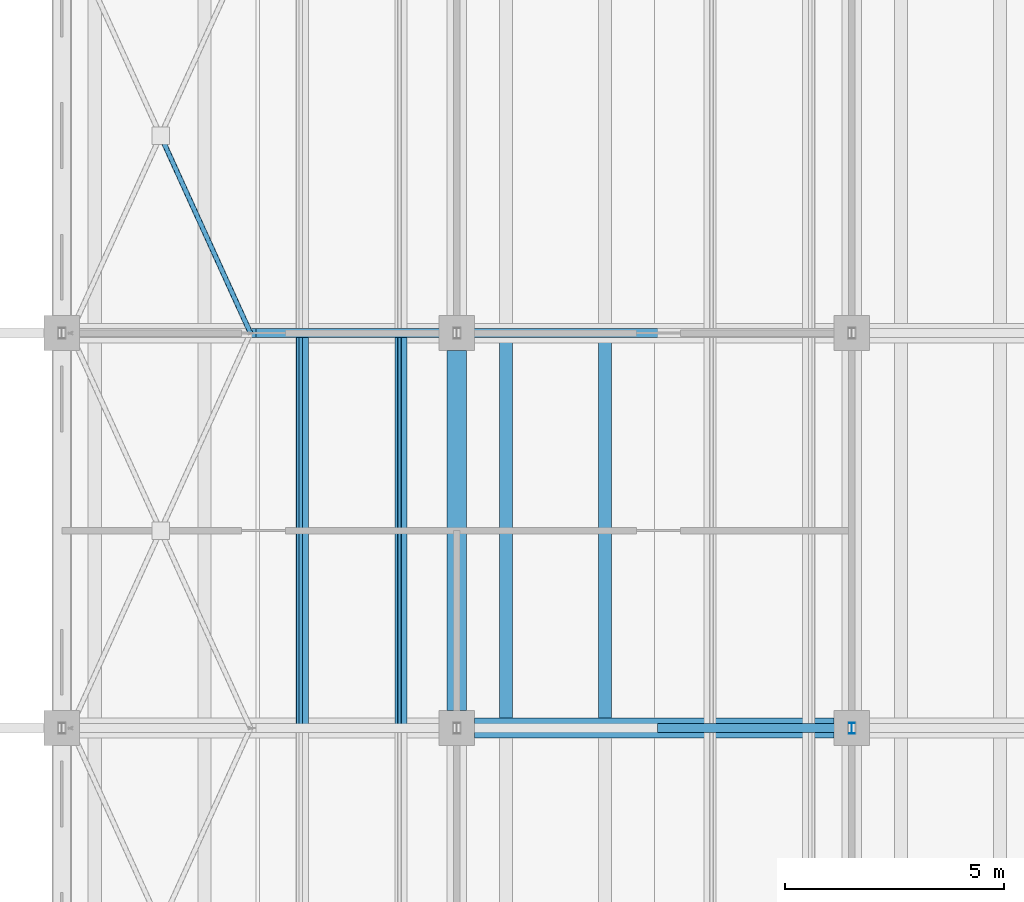
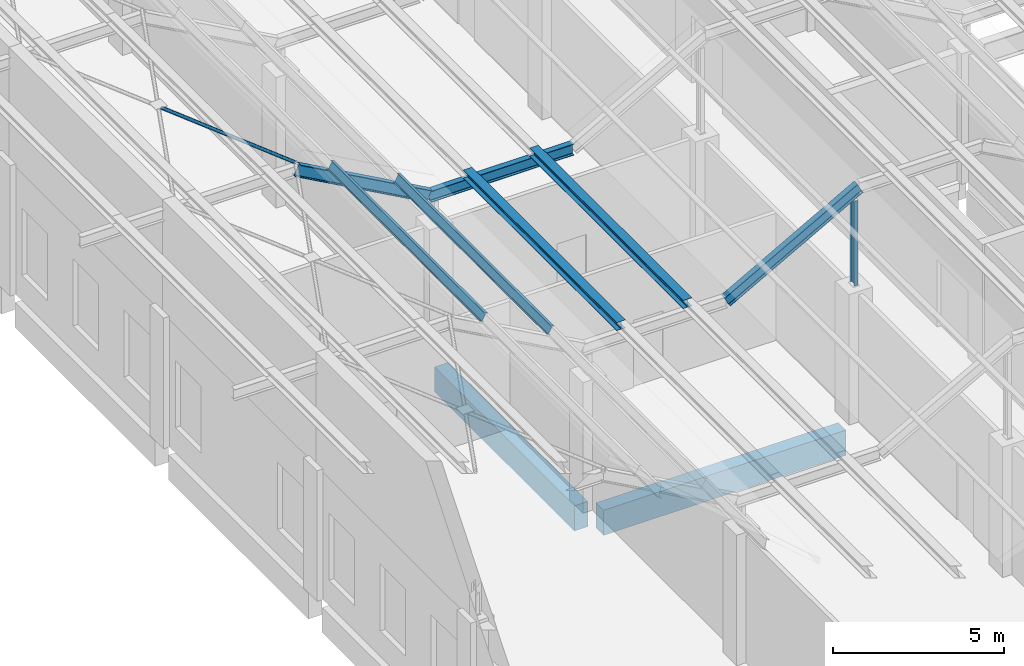
# One storey, part 29 of 437: 9 members, 2 beams.
"""IFC4 building model written with IfcOpenShell, lengths in metres."""

import ifcopenshell
import ifcopenshell.guid

model = None  # the IFC model being written
_history = None  # IfcOwnerHistory: only IFC2X3 demands one
_inside = {}  # id of a spatial element -> (the spatial element, [elements in it])
_under = {}  # id of a project, library or spatial element -> (it, [spatial elements below it])
_declared = {}  # id of a project -> (the project, [libraries it declares])
_typed = {}  # id of a type object -> (the type object, [elements of that type])
_made_of = {}  # id of a material, layer set ... -> (it, [elements and type objects made of it])


def new_model(schema):
    """Start an empty IFC model of exactly this schema.

    Asked for "IFC4X3", IfcOpenShell would pick the latest addendum, in which some entities
    have other attributes; the version numbers below select the first issue.
    IFC2X3 requires an IfcOwnerHistory on every rooted entity: one is made here for all.
    """
    global model, _history
    if schema == "IFC4X3":
        model = ifcopenshell.file(schema_version=(4, 3, 0, 0))
    else:
        model = ifcopenshell.file(schema=schema)
    _inside.clear()
    _under.clear()
    _declared.clear()
    _typed.clear()
    _made_of.clear()
    _history = None
    if model.schema == "IFC2X3":
        org = make("IfcOrganization", Name="unknown")
        user = make(
            "IfcPersonAndOrganization",
            ThePerson=make("IfcPerson", FamilyName="unknown"),
            TheOrganization=org,
        )
        app = make(
            "IfcApplication",
            ApplicationDeveloper=org,
            Version="unknown",
            ApplicationFullName="unknown",
            ApplicationIdentifier="unknown",
        )
        _history = make(
            "IfcOwnerHistory",
            OwningUser=user,
            OwningApplication=app,
            ChangeAction="ADDED",
            CreationDate=0,
        )
    return model


def make(cls, **values):
    """One entity of the class cls with the attributes given. An attribute that is None is left unset."""
    return model.create_entity(
        cls, **{name: value for name, value in values.items() if value is not None}
    )


def rooted(cls, **values):
    """An entity with a GlobalId (a new one), such as an element, a storey or a relation."""
    return make(cls, GlobalId=ifcopenshell.guid.new(), OwnerHistory=_history, **values)


def si_unit(unit_type, name, prefix=None):
    """IfcSIUnit, for example si_unit("LENGTHUNIT", "METRE", prefix="MILLI")."""
    return make("IfcSIUnit", UnitType=unit_type, Prefix=prefix, Name=name)


def assignment(units):
    """IfcUnitAssignment: the units of a project."""
    return None if units is None else make("IfcUnitAssignment", Units=units)


def point(xyz):
    """IfcCartesianPoint."""
    return None if xyz is None else make("IfcCartesianPoint", Coordinates=xyz)


def direction(xyz):
    """IfcDirection."""
    return None if xyz is None else make("IfcDirection", DirectionRatios=xyz)


def frame(location, z_axis=None, x_axis=None):
    """IfcAxis2Placement3D, a coordinate frame: its origin and axes. An axis left out is left unset."""
    return make(
        "IfcAxis2Placement3D",
        Location=point(location),
        Axis=direction(z_axis),
        RefDirection=direction(x_axis),
    )


def frame_2d(location, x_axis=None):
    """IfcAxis2Placement2D, a coordinate frame in the plane: its origin and x axis."""
    return make(
        "IfcAxis2Placement2D", Location=point(location), RefDirection=direction(x_axis)
    )


def origin():
    """The frame at (0, 0, 0) with its axes left unset."""
    return frame((0.0, 0.0, 0.0))


def origin_2d():
    """The frame at (0, 0) in the plane with its x axis left unset."""
    return frame_2d((0.0, 0.0))


def place(relative_to, where):
    """IfcLocalPlacement: puts the frame where relative to a parent placement (None: the world)."""
    return make(
        "IfcLocalPlacement", PlacementRelTo=relative_to, RelativePlacement=where
    )


def context(
    kind, dimensions, precision=None, world=None, true_north=None, identifier=None
):
    """IfcGeometricRepresentationContext, for example the 3D "Model" context."""
    return make(
        "IfcGeometricRepresentationContext",
        ContextIdentifier=identifier,
        ContextType=kind,
        CoordinateSpaceDimension=dimensions,
        Precision=precision,
        WorldCoordinateSystem=world,
        TrueNorth=true_north,
    )


def subcontext(parent, identifier, kind, view, scale=None):
    """IfcGeometricRepresentationSubContext, for example "Body" below "Model"."""
    return make(
        "IfcGeometricRepresentationSubContext",
        ContextIdentifier=identifier,
        ContextType=kind,
        ParentContext=parent,
        TargetScale=scale,
        TargetView=view,
    )


def project(units=None, contexts=None):
    """IfcProject with its units and contexts."""
    return rooted(
        "IfcProject",
        Name="project",
        RepresentationContexts=contexts,
        UnitsInContext=assignment(units),
    )


def spatial(cls, under=None, at=None, **own):
    """A site, building, storey or space (cls), placed at a placement, below another one or the project."""
    s = rooted(cls, ObjectPlacement=at, **own)
    if under is not None:
        _under.setdefault(under.id(), (under, []))[1].append(s)
    return s


def profile(cls, at=None, kind="AREA", **sizes):
    """A parametric profile (cls). Its sizes go by their IFC names, for example OverallWidth=200.0."""
    return make(cls, ProfileType=kind, Position=at, **sizes)


def rectangle(**sizes):
    """IfcRectangleProfileDef."""
    return profile("IfcRectangleProfileDef", **sizes)


def hollow_circle(**sizes):
    """IfcCircleHollowProfileDef."""
    return profile("IfcCircleHollowProfileDef", **sizes)


def i_section(**sizes):
    """IfcIShapeProfileDef."""
    return profile("IfcIShapeProfileDef", **sizes)


def extrude(swept, where, along, depth):
    """IfcExtrudedAreaSolid: the profile swept, set in the frame where, extruded along a direction by depth."""
    return make(
        "IfcExtrudedAreaSolid",
        SweptArea=swept,
        Position=where,
        ExtrudedDirection=direction(along),
        Depth=depth,
    )


def shape(context_of_items, identifier, shape_type, items):
    """IfcShapeRepresentation: the items that make up one representation, for example the "Body"."""
    return make(
        "IfcShapeRepresentation",
        ContextOfItems=context_of_items,
        RepresentationIdentifier=identifier,
        RepresentationType=shape_type,
        Items=items,
    )


def material(Name=None, Category=None):
    """IfcMaterial."""
    return make("IfcMaterial", Name=Name, Category=Category)


def material_profile(
    of_material, cross_section, Name=None, Category=None, Priority=None
):
    """IfcMaterialProfile: a cross section and its material."""
    return make(
        "IfcMaterialProfile",
        Name=Name,
        Material=of_material,
        Profile=cross_section,
        Priority=Priority,
        Category=Category,
    )


def profile_set(profiles, Name=None, composite=None):
    """IfcMaterialProfileSet."""
    return make(
        "IfcMaterialProfileSet",
        Name=Name,
        MaterialProfiles=profiles,
        CompositeProfile=composite,
    )


def made_of(thing, what):
    """Note that an element or type object is made of a material, layer set ...; save() writes the relation."""
    if what is not None:
        _made_of.setdefault(what.id(), (what, []))[1].append(thing)
    return thing


def type_object(cls, material=None, **own):
    """A type object (cls), such as IfcWallType, which elements share."""
    return made_of(rooted(cls, **own), material)


def element(
    cls,
    number,
    at=None,
    inside=None,
    cuts=None,
    type_object=None,
    material=None,
    context=None,
    identifier="Body",
    shape_type=None,
    held_by="IfcProductDefinitionShape",
    body=None,
    shapes=None,
    **own,
):
    """One element of the class cls, such as IfcWall. Its Tag is "e" and its number.

    at: its placement. inside: the storey or other place that contains it. cuts: it is an
    opening in that element (IfcRelVoidsElement). A single representation is given by context,
    identifier, shape_type and body (its items); several are given by shapes. held_by: the class
    of the entity that holds the representations. save() writes the other relations.
    """
    e = rooted(cls, Tag="e%d" % number, ObjectPlacement=at, **own)
    if body is not None:
        shapes = [shape(context, identifier, shape_type, body)]
    if shapes is not None:
        e.Representation = make(held_by, Representations=shapes)
    if inside is not None:
        _inside.setdefault(inside.id(), (inside, []))[1].append(e)
    if cuts is not None:
        rooted(
            "IfcRelVoidsElement", RelatingBuildingElement=cuts, RelatedOpeningElement=e
        )
    if type_object is not None:
        _typed.setdefault(type_object.id(), (type_object, []))[1].append(e)
    return made_of(e, material)


def aggregate(whole, parts):
    """IfcRelAggregates: a whole, such as a stair, and the parts it consists of."""
    return rooted("IfcRelAggregates", RelatingObject=whole, RelatedObjects=parts)


def save(model, path):
    """Write the relations noted so far, then the file.

    IfcRelAggregates (storeys below a building ...), IfcRelContainedInSpatialStructure (elements
    in a storey), IfcRelDefinesByType, IfcRelAssociatesMaterial and IfcRelDeclares: one each for
    every whole, place, type object, material and project.
    """
    for whole, parts in _under.values():
        aggregate(whole, parts)
    for where, things in _inside.values():
        rooted(
            "IfcRelContainedInSpatialStructure",
            RelatedElements=things,
            RelatingStructure=where,
        )
    for kind, things in _typed.values():
        rooted("IfcRelDefinesByType", RelatedObjects=things, RelatingType=kind)
    for what, things in _made_of.values():
        rooted("IfcRelAssociatesMaterial", RelatedObjects=things, RelatingMaterial=what)
    for by, libraries in _declared.values():
        rooted("IfcRelDeclares", RelatingContext=by, RelatedDefinitions=libraries)
    model.write(path)


model = new_model("IFC4")

# Units and contexts
model_context = context("Model", 3, precision=1e-05, world=origin(), true_north=direction((0.0, 1.0)))
body_context = subcontext(model_context, "Body", "Model", "MODEL_VIEW")
ifc_project = project(units=[si_unit("LENGTHUNIT", "METRE"), si_unit("AREAUNIT", "SQUARE_METRE"), si_unit("VOLUMEUNIT", "CUBIC_METRE"), si_unit("PLANEANGLEUNIT", "RADIAN"), si_unit("MASSUNIT", "GRAM", prefix="KILO")], contexts=[model_context])

# Site, building, storey
site_placement = place(None, origin())
site = spatial("IfcSite", under=ifc_project, at=site_placement, CompositionType="ELEMENT")
building_placement = place(site_placement, origin())
building = spatial("IfcBuilding", under=site, at=building_placement, Name="Opaline Strait Convention Centre", CompositionType="ELEMENT")
storey_placement = place(building_placement, frame((0.0, 0.0, 11.5)))
storey = spatial("IfcBuildingStorey", under=building, at=storey_placement, Name="L02", CompositionType="ELEMENT", Elevation=11.5)

# Members
ifc_material_1 = material(Name="Steel Q355B", Category="steel")
ifc_material_profile_1 = material_profile(ifc_material_1, i_section(OverallWidth=0.300048828125, OverallDepth=0.300048828125, WebThickness=0.010009765625, FlangeThickness=0.014892578125, FilletRadius=0.012939453125, at=origin_2d()), Name="HW 300x300x10x15")
ifc_profile_set_1 = profile_set([ifc_material_profile_1], Name="Steel Q355B")
member_type_1 = type_object("IfcMemberType", Name="Crest purlin HW 300x300x10x15", PredefinedType="PURLIN", material=ifc_profile_set_1)
for number, where, z_axis, x_axis, name in (
    (1, (19.125, 45.0, 5.949951171875), (0.0, 1.0, 0.0), (-1.0, 0.0, 0.0), "RU1 purlin facet 3 line 1"),
    (2, (21.375, 45.0, 5.949951171875), (0.0, 1.0, 0.0), (-1.0, 0.0, 0.0), "RU1 purlin facet 3 line 2"),
):
    element("IfcMember", number, at=place(storey_placement, frame(where, z_axis=z_axis, x_axis=x_axis)), inside=storey, type_object=member_type_1, Name=name, PredefinedType="PURLIN", context=body_context, shape_type="SweptSolid", body=[
        extrude(i_section(OverallWidth=0.300048828125, OverallDepth=0.300048828125, WebThickness=0.010009765625, FlangeThickness=0.014892578125, FilletRadius=0.012939453125, at=origin_2d()), origin(), (0.0, 0.0, 1.0), 9.0),
    ])

# Beams
ifc_material_2 = material(Name="Concrete C35", Category="concrete")
ifc_material_profile_2 = material_profile(ifc_material_2, rectangle(XDim=0.449951171875, YDim=0.89990234375, at=origin_2d()), Name="RC 450x900")
ifc_profile_set_2 = profile_set([ifc_material_profile_2], Name="Concrete C35")
beam_type = type_object("IfcBeamType", Name="RC beam 450x900 C35", PredefinedType="BEAM", material=ifc_profile_set_2)
for number, where, z_axis, x_axis, name in (
    (3, (18.39990234375, 45.0, -0.72998046875), (1.0, 0.0, 0.0), (0.0, 1.0, 0.0), "XB1 L02 18/45-27/45"),
    (4, (18.0, 45.39990234375, -0.72998046875), (0.0, 1.0, 0.0), (-1.0, 0.0, 0.0), "XB1 L02 18/45-18/54"),
):
    element("IfcBeam", number, at=place(storey_placement, frame(where, z_axis=z_axis, x_axis=x_axis)), inside=storey, type_object=beam_type, Name=name, PredefinedType="BEAM", context=body_context, shape_type="SweptSolid", body=[
        extrude(rectangle(XDim=0.449951171875, YDim=0.89990234375, at=origin_2d()), origin(), (0.0, 0.0, 1.0), 8.2001953125),
    ])

# Members
ifc_material_profile_3 = material_profile(ifc_material_1, hollow_circle(Radius=0.056884765625, WallThickness=0.006103515625, at=origin_2d()), Name="CHS 114x6")
ifc_profile_set_3 = profile_set([ifc_material_profile_3], Name="Steel Q355B")
member_type_2 = type_object("IfcMemberType", Name="Roof bracing CHS 114x6", PredefinedType="BRACE", material=ifc_profile_set_3)
member_1_placement = place(storey_placement, frame((13.300048828125, 54.0, 8.35693359375), z_axis=(-0.414570207506, 0.91001733118, 0.0), x_axis=(-0.91001733118, -0.414570207506, 0.0)))
element("IfcMember", 5, at=member_1_placement, inside=storey, type_object=member_type_2, Name="RX1 roof brace bay 6 at 9", PredefinedType="BRACE", context=body_context, shape_type="SweptSolid", body=[
    extrude(hollow_circle(Radius=0.056884765625, WallThickness=0.006103515625, at=origin_2d()), origin(), (0.0, 0.0, 1.0), 4.81787109375),
])
ifc_material_profile_4 = material_profile(ifc_material_1, i_section(OverallWidth=0.125, OverallDepth=0.25, WebThickness=0.006103515625, FlangeThickness=0.009033203125, FilletRadius=0.008056640625, at=origin_2d()), Name="HN 250x125x6x9")
ifc_profile_set_4 = profile_set([ifc_material_profile_4], Name="Steel Q355B")
member_type_3 = type_object("IfcMemberType", Name="Roof post HN 250x125x6x9", PredefinedType="STRUT", material=ifc_profile_set_4)
member_2_placement = place(storey_placement, frame((27.0, 45.0, 4.68994140625), z_axis=(0.0, 0.0, 1.0), x_axis=(1.0, 0.0, 0.0)))
element("IfcMember", 6, at=member_2_placement, inside=storey, type_object=member_type_3, Name="RP1 roof post at 27/45", PredefinedType="STRUT", context=body_context, shape_type="SweptSolid", body=[
    extrude(i_section(OverallWidth=0.125, OverallDepth=0.25, WebThickness=0.006103515625, FlangeThickness=0.009033203125, FilletRadius=0.008056640625, at=origin_2d()), origin(), (0.0, 0.0, 1.0), 3.031005859375),
])
ifc_material_profile_5 = material_profile(ifc_material_1, i_section(OverallWidth=0.14990234375, OverallDepth=0.300048828125, WebThickness=0.006591796875, FlangeThickness=0.009033203125, FilletRadius=0.012939453125, at=origin_2d()), Name="HN 300x150x6.5x9")
ifc_profile_set_5 = profile_set([ifc_material_profile_5], Name="Steel Q355B")
member_type_4 = type_object("IfcMemberType", Name="Roof purlin HN 300x150x6.5x9", PredefinedType="PURLIN", material=ifc_profile_set_5)
for number, where, z_axis, x_axis, name in (
    (7, (14.479248046875, 45.0, 7.86279296875), (0.0, 1.0, 0.0), (-0.874157310866, 0.0, 0.485642868639), "RU1 purlin facet 2 line 1"),
    (8, (16.729248046875, 45.0, 6.61279296875), (0.0, 1.0, 0.0), (-0.874157310866, 0.0, 0.485642868639), "RU1 purlin facet 2 line 2"),
):
    element("IfcMember", number, at=place(storey_placement, frame(where, z_axis=z_axis, x_axis=x_axis)), inside=storey, type_object=member_type_4, Name=name, PredefinedType="PURLIN", context=body_context, shape_type="SweptSolid", body=[
        extrude(i_section(OverallWidth=0.14990234375, OverallDepth=0.300048828125, WebThickness=0.006591796875, FlangeThickness=0.009033203125, FilletRadius=0.012939453125, at=origin_2d()), origin(), (0.0, 0.0, 1.0), 9.0),
    ])
ifc_material_profile_6 = material_profile(ifc_material_1, i_section(OverallWidth=0.199951171875, OverallDepth=0.39990234375, WebThickness=0.008056640625, FlangeThickness=0.012939453125, FilletRadius=0.012939453125, at=origin_2d()), Name="HN 400x200x8x13")
ifc_profile_set_6 = profile_set([ifc_material_profile_6], Name="Steel Q355B")
member_type_5 = type_object("IfcMemberType", Name="Roof rafter HN 400x200x8x13", PredefinedType="RAFTER", material=ifc_profile_set_6)
for number, where, z_axis, x_axis, name in (
    (9, (22.66845703125, 45.0, 5.60009765625), (0.874157276122, 0.0, 0.485642931179), (0.0, 1.0, 0.0), "RR1 rafter line 5 facet 5"),
    (10, (13.33154296875, 54.0, 8.10009765625), (0.874157276122, 0.0, -0.485642931179), (0.0, 1.0, 0.0), "RR1 rafter line 6 facet 3"),
):
    element("IfcMember", number, at=place(storey_placement, frame(where, z_axis=z_axis, x_axis=x_axis)), inside=storey, type_object=member_type_5, Name=name, PredefinedType="RAFTER", context=body_context, shape_type="SweptSolid", body=[
        extrude(i_section(OverallWidth=0.199951171875, OverallDepth=0.39990234375, WebThickness=0.008056640625, FlangeThickness=0.012939453125, FilletRadius=0.012939453125, at=origin_2d()), origin(), (0.0, 0.0, 1.0), 5.147705078125),
    ])
member_3_placement = place(storey_placement, frame((17.83154296875, 54.0, 5.60009765625), z_axis=(1.0, 0.0, 0.0), x_axis=(0.0, 1.0, 0.0)))
element("IfcMember", 11, at=member_3_placement, inside=storey, type_object=member_type_5, Name="RR1 rafter line 6 facet 4", PredefinedType="RAFTER", context=body_context, shape_type="SweptSolid", body=[
    extrude(i_section(OverallWidth=0.199951171875, OverallDepth=0.39990234375, WebThickness=0.008056640625, FlangeThickness=0.012939453125, FilletRadius=0.012939453125, at=origin_2d()), origin(), (0.0, 0.0, 1.0), 4.8369140625),
])

save(model, "model.ifc")
